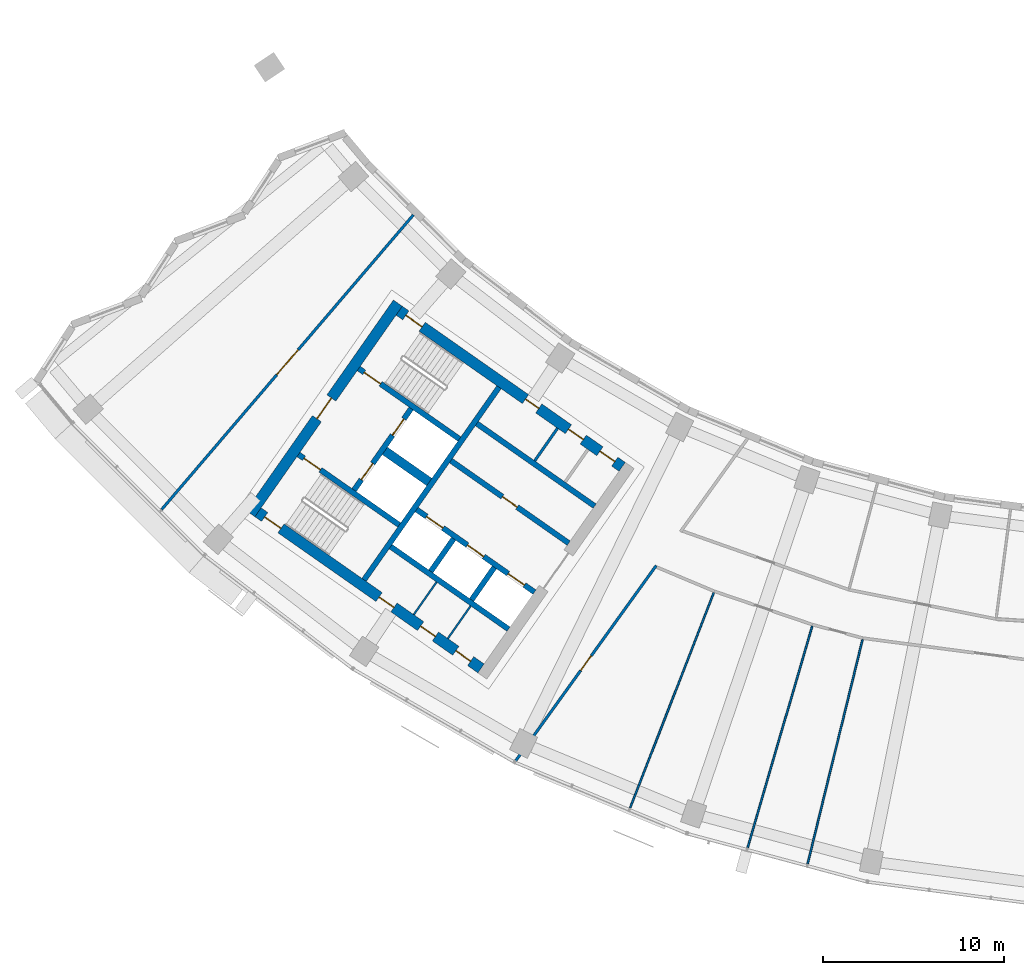
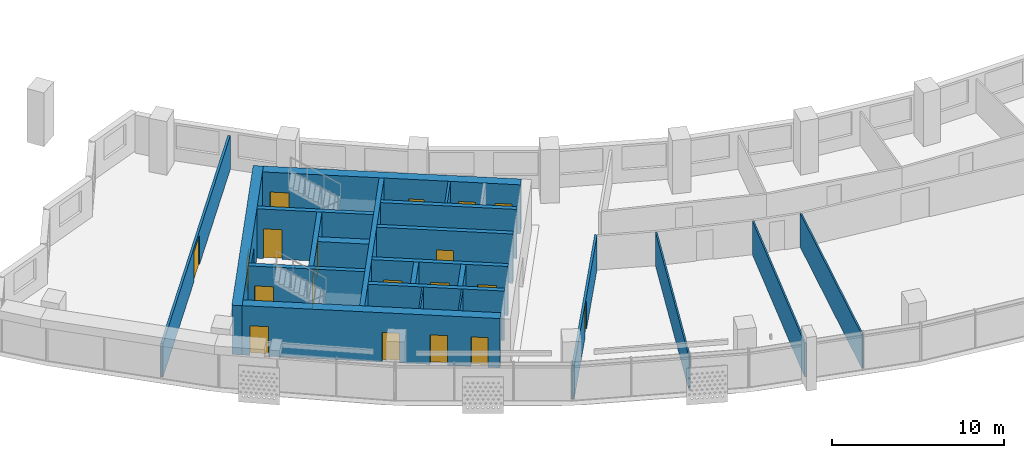
# One storey, part 3 of 26: 22 walls, 19 doors, 19 openings.
"""IFC4 building model written with IfcOpenShell, lengths in metres."""

from ifc_helpers import new_model, si_unit, direction, frame, frame_2d, origin, place, context, subcontext, project, spatial, rectangle, extrude, material, layer, layer_set, type_object, element, fill, save


model = new_model("IFC4")

# Units and contexts
model_context = context("Model", 3, precision=1e-05, world=origin(), true_north=direction((0.0, 1.0)))
body_context = subcontext(model_context, "Body", "Model", "MODEL_VIEW")
ifc_project = project(units=[si_unit("LENGTHUNIT", "METRE"), si_unit("AREAUNIT", "SQUARE_METRE"), si_unit("VOLUMEUNIT", "CUBIC_METRE"), si_unit("PLANEANGLEUNIT", "RADIAN"), si_unit("MASSUNIT", "GRAM", prefix="KILO")], contexts=[model_context])

# Site, building, storey
site_placement = place(None, origin())
site = spatial("IfcSite", under=ifc_project, at=site_placement, CompositionType="ELEMENT")
building_placement = place(site_placement, origin())
building = spatial("IfcBuilding", under=site, at=building_placement, Name="Qamariyya Broadcast Tower", CompositionType="ELEMENT")
storey_placement = place(building_placement, frame((0.0, 0.0, 183.5)))
storey = spatial("IfcBuildingStorey", under=building, at=storey_placement, Name="L43", CompositionType="ELEMENT", Elevation=183.5)

# Wall, opening, door
ifc_material_1 = material(Name="Concrete C60/75", Category="concrete")
ifc_layer_1 = layer(ifc_material_1, 0.60009765625)
ifc_layer_set_1 = layer_set([ifc_layer_1], Name="Core wall 600 mm Concrete C60/75")
wall_type_1 = type_object("IfcWallType", Name="Core wall 600 mm Concrete C60/75", PredefinedType="SHEAR", material=ifc_layer_set_1)
wall_1_placement = place(storey_placement, frame((-49.4833984375, -57.031494140625, 0.0), z_axis=(0.0, 0.0, 1.0), x_axis=(0.573560421458, 0.819163257805, 0.0)))
wall_1 = element("IfcWall", 1, at=wall_1_placement, inside=storey, type_object=wall_type_1, Name="k-W-L43-WH", PredefinedType="SHEAR", context=body_context, shape_type="SweptSolid", body=[
    extrude(rectangle(XDim=14.199951171875, YDim=0.60009765625, at=frame_2d((7.10009765625, 0.0))), origin(), (0.0, 0.0, 1.0), 3.5),
])
opening_1_placement = place(wall_1_placement, frame((6.39990234375, 0.0, 0.0)))
opening_1 = element("IfcOpeningElement", 2, at=opening_1_placement, cuts=wall_1, Name="Opening KD2-W1", PredefinedType="OPENING", context=body_context, shape_type="SweptSolid", body=[
    extrude(rectangle(XDim=1.39990234375, YDim=2.10009765625, at=frame_2d((0.699951171875, 1.050048828125))), frame((0.0, 0.31005859375, 0.0), z_axis=(0.0, -1.0, 0.0), x_axis=(1.0, 0.0, 0.0)), (0.0, 0.0, 1.0), 0.6201171875),
])
ifc_material_2 = material(Name="Steel fire-resisting door leaf", Category="steel")
door_type_1 = type_object("IfcDoorType", Name="Fire-fighting lobby door KD2", OperationType="DOUBLE_DOOR_SINGLE_SWING", PredefinedType="DOOR", material=ifc_material_2)
door_1_placement = place(opening_1_placement, origin())
door_1 = element("IfcDoor", 3, at=door_1_placement, inside=storey, type_object=door_type_1, Name="k-W-L43-WH-D14", OperationType="DOUBLE_DOOR_SINGLE_SWING", OverallHeight=2.10009765625, OverallWidth=1.39990234375, PredefinedType="DOOR", context=body_context, shape_type="SweptSolid", body=[
    extrude(rectangle(XDim=1.39990234375, YDim=2.10009765625, at=frame_2d((0.699951171875, 1.050048828125))), frame((0.0, 0.02490234375, 0.0), z_axis=(0.0, -1.0, 0.0), x_axis=(1.0, 0.0, 0.0)), (0.0, 0.0, 1.0), 0.050048828125),
])
fill(opening_1, door_1)

# Wall, openings, doors
wall_2_placement = place(storey_placement, frame((-28.940673828125, -54.447021484375, 0.0), z_axis=(0.0, 0.0, 1.0), x_axis=(-0.819153391756, 0.573574511963, 0.0)))
wall_2 = element("IfcWall", 4, at=wall_2_placement, inside=storey, type_object=wall_type_1, Name="k-W-L43-WI", PredefinedType="SHEAR", context=body_context, shape_type="SweptSolid", body=[
    extrude(rectangle(XDim=15.04541015625, YDim=0.60009765625, at=frame_2d((7.522705078125, 0.0))), origin(), (0.0, 0.0, 1.0), 3.5),
])
opening_2_placement = place(wall_2_placement, frame((0.5, 0.0, 0.0)))
opening_2 = element("IfcOpeningElement", 5, at=opening_2_placement, cuts=wall_2, Name="Opening KD6-W2", PredefinedType="OPENING", context=body_context, shape_type="SweptSolid", body=[
    extrude(rectangle(XDim=1.0, YDim=2.10009765625, at=frame_2d((0.5, 1.050048828125))), frame((0.0, 0.31005859375, 0.0), z_axis=(0.0, -1.0, 0.0), x_axis=(1.0, 0.0, 0.0)), (0.0, 0.0, 1.0), 0.6201171875),
])
opening_3_placement = place(wall_2_placement, frame((2.625, 0.0, 0.0)))
opening_3 = element("IfcOpeningElement", 6, at=opening_3_placement, cuts=wall_2, Name="Opening KD7-W1", PredefinedType="OPENING", context=body_context, shape_type="SweptSolid", body=[
    extrude(rectangle(XDim=1.0, YDim=2.10009765625, at=frame_2d((0.5, 1.050048828125))), frame((0.0, 0.31005859375, 0.0), z_axis=(0.0, -1.0, 0.0), x_axis=(1.0, 0.0, 0.0)), (0.0, 0.0, 1.0), 0.6201171875),
])
opening_4_placement = place(wall_2_placement, frame((5.625, 0.0, 0.0)))
opening_4 = element("IfcOpeningElement", 7, at=opening_4_placement, cuts=wall_2, Name="Opening KD5-W1", PredefinedType="OPENING", context=body_context, shape_type="SweptSolid", body=[
    extrude(rectangle(XDim=0.89990234375, YDim=2.10009765625, at=frame_2d((0.449951171875, 1.050048828125))), frame((0.0, 0.31005859375, 0.0), z_axis=(0.0, -1.0, 0.0), x_axis=(1.0, 0.0, 0.0)), (0.0, 0.0, 1.0), 0.6201171875),
])
opening_5_placement = place(wall_2_placement, frame((13.495361328125, 0.0, 0.0)))
opening_5 = element("IfcOpeningElement", 8, at=opening_5_placement, cuts=wall_2, Name="Opening KD1-W1", PredefinedType="OPENING", context=body_context, shape_type="SweptSolid", body=[
    extrude(rectangle(XDim=1.10009765625, YDim=2.10009765625, at=frame_2d((0.550048828125, 1.050048828125))), frame((0.0, 0.31005859375, 0.0), z_axis=(0.0, -1.0, 0.0), x_axis=(1.0, 0.0, 0.0)), (0.0, 0.0, 1.0), 0.6201171875),
])
door_type_2 = type_object("IfcDoorType", Name="Accessible toilet door KD7", OperationType="SINGLE_SWING_LEFT", PredefinedType="DOOR", material=ifc_material_2)
door_2_placement = place(opening_3_placement, origin())
door_2 = element("IfcDoor", 9, at=door_2_placement, inside=storey, type_object=door_type_2, Name="k-W-L43-WI-D7", OperationType="SINGLE_SWING_RIGHT", OverallHeight=2.10009765625, OverallWidth=1.0, PredefinedType="DOOR", context=body_context, shape_type="SweptSolid", body=[
    extrude(rectangle(XDim=1.0, YDim=2.10009765625, at=frame_2d((0.5, 1.050048828125))), frame((0.0, 0.02490234375, 0.0), z_axis=(0.0, -1.0, 0.0), x_axis=(1.0, 0.0, 0.0)), (0.0, 0.0, 1.0), 0.050048828125),
])
fill(opening_3, door_2)
door_type_3 = type_object("IfcDoorType", Name="Core room door KD6", OperationType="SINGLE_SWING_LEFT", PredefinedType="DOOR", material=ifc_material_2)
door_3_placement = place(opening_2_placement, origin())
door_3 = element("IfcDoor", 10, at=door_3_placement, inside=storey, type_object=door_type_3, Name="k-W-L43-WI-D6", OperationType="SINGLE_SWING_LEFT", OverallHeight=2.10009765625, OverallWidth=1.0, PredefinedType="DOOR", context=body_context, shape_type="SweptSolid", body=[
    extrude(rectangle(XDim=1.0, YDim=2.10009765625, at=frame_2d((0.5, 1.050048828125))), frame((0.0, 0.02490234375, 0.0), z_axis=(0.0, -1.0, 0.0), x_axis=(1.0, 0.0, 0.0)), (0.0, 0.0, 1.0), 0.050048828125),
])
fill(opening_2, door_3)
door_type_4 = type_object("IfcDoorType", Name="Stair door KD1", OperationType="SINGLE_SWING_LEFT", PredefinedType="DOOR", material=ifc_material_2)
door_4_placement = place(opening_5_placement, origin())
door_4 = element("IfcDoor", 11, at=door_4_placement, inside=storey, type_object=door_type_4, Name="k-W-L43-WI-D15", OperationType="SINGLE_SWING_RIGHT", OverallHeight=2.10009765625, OverallWidth=1.10009765625, PredefinedType="DOOR", context=body_context, shape_type="SweptSolid", body=[
    extrude(rectangle(XDim=1.10009765625, YDim=2.10009765625, at=frame_2d((0.550048828125, 1.050048828125))), frame((0.0, 0.02490234375, 0.0), z_axis=(0.0, -1.0, 0.0), x_axis=(1.0, 0.0, 0.0)), (0.0, 0.0, 1.0), 0.050048828125),
])
fill(opening_5, door_4)
door_type_5 = type_object("IfcDoorType", Name="Toilet door KD5", OperationType="SINGLE_SWING_LEFT", PredefinedType="DOOR", material=ifc_material_2)
door_5_placement = place(opening_4_placement, origin())
door_5 = element("IfcDoor", 12, at=door_5_placement, inside=storey, type_object=door_type_5, Name="k-W-L43-WI-D8", OperationType="SINGLE_SWING_LEFT", OverallHeight=2.10009765625, OverallWidth=0.89990234375, PredefinedType="DOOR", context=body_context, shape_type="SweptSolid", body=[
    extrude(rectangle(XDim=0.89990234375, YDim=2.10009765625, at=frame_2d((0.449951171875, 1.050048828125))), frame((0.0, 0.02490234375, 0.0), z_axis=(0.0, -1.0, 0.0), x_axis=(1.0, 0.0, 0.0)), (0.0, 0.0, 1.0), 0.050048828125),
])
fill(opening_4, door_5)

wall_3_placement = place(storey_placement, frame((-36.7412109375, -65.58740234375, 0.0), z_axis=(0.0, 0.0, 1.0), x_axis=(-0.819153391756, 0.573574511963, 0.0)))
wall_3 = element("IfcWall", 13, at=wall_3_placement, inside=storey, type_object=wall_type_1, Name="k-W-L43-WO", PredefinedType="SHEAR", context=body_context, shape_type="SweptSolid", body=[
    extrude(rectangle(XDim=15.04541015625, YDim=0.60009765625, at=frame_2d((7.522705078125, 0.0))), origin(), (0.0, 0.0, 1.0), 3.5),
])
opening_6_placement = place(wall_3_placement, frame((0.699951171875, 0.0, 0.0)))
opening_6 = element("IfcOpeningElement", 14, at=opening_6_placement, cuts=wall_3, Name="Opening KD6-W3", PredefinedType="OPENING", context=body_context, shape_type="SweptSolid", body=[
    extrude(rectangle(XDim=1.0, YDim=2.10009765625, at=frame_2d((0.5, 1.050048828125))), frame((0.0, 0.31005859375, 0.0), z_axis=(0.0, -1.0, 0.0), x_axis=(1.0, 0.0, 0.0)), (0.0, 0.0, 1.0), 0.6201171875),
])
opening_7_placement = place(wall_3_placement, frame((3.074951171875, 0.0, 0.0)))
opening_7 = element("IfcOpeningElement", 15, at=opening_7_placement, cuts=wall_3, Name="Opening KD4-W1", PredefinedType="OPENING", context=body_context, shape_type="SweptSolid", body=[
    extrude(rectangle(XDim=1.0, YDim=2.10009765625, at=frame_2d((0.5, 1.050048828125))), frame((0.0, 0.31005859375, 0.0), z_axis=(0.0, -1.0, 0.0), x_axis=(1.0, 0.0, 0.0)), (0.0, 0.0, 1.0), 0.6201171875),
])
opening_8_placement = place(wall_3_placement, frame((5.875, 0.0, 0.0)))
opening_8 = element("IfcOpeningElement", 16, at=opening_8_placement, cuts=wall_3, Name="Opening KD4-W2", PredefinedType="OPENING", context=body_context, shape_type="SweptSolid", body=[
    extrude(rectangle(XDim=1.0, YDim=2.10009765625, at=frame_2d((0.5, 1.050048828125))), frame((0.0, 0.31005859375, 0.0), z_axis=(0.0, -1.0, 0.0), x_axis=(1.0, 0.0, 0.0)), (0.0, 0.0, 1.0), 0.6201171875),
])
opening_9_placement = place(wall_3_placement, frame((13.495361328125, 0.0, 0.0)))
opening_9 = element("IfcOpeningElement", 17, at=opening_9_placement, cuts=wall_3, Name="Opening KD1-W3", PredefinedType="OPENING", context=body_context, shape_type="SweptSolid", body=[
    extrude(rectangle(XDim=1.10009765625, YDim=2.10009765625, at=frame_2d((0.550048828125, 1.050048828125))), frame((0.0, 0.31005859375, 0.0), z_axis=(0.0, -1.0, 0.0), x_axis=(1.0, 0.0, 0.0)), (0.0, 0.0, 1.0), 0.6201171875),
])
door_6_placement = place(opening_6_placement, origin())
door_6 = element("IfcDoor", 18, at=door_6_placement, inside=storey, type_object=door_type_3, Name="k-W-L43-WO-D9", OperationType="SINGLE_SWING_RIGHT", OverallHeight=2.10009765625, OverallWidth=1.0, PredefinedType="DOOR", context=body_context, shape_type="SweptSolid", body=[
    extrude(rectangle(XDim=1.0, YDim=2.10009765625, at=frame_2d((0.5, 1.050048828125))), frame((0.0, 0.02490234375, 0.0), z_axis=(0.0, -1.0, 0.0), x_axis=(1.0, 0.0, 0.0)), (0.0, 0.0, 1.0), 0.050048828125),
])
fill(opening_6, door_6)
door_type_6 = type_object("IfcDoorType", Name="Riser and plant door KD4", OperationType="SINGLE_SWING_LEFT", PredefinedType="DOOR", material=ifc_material_2)
door_7_placement = place(opening_7_placement, origin())
door_7 = element("IfcDoor", 19, at=door_7_placement, inside=storey, type_object=door_type_6, Name="k-W-L43-WO-D10", OperationType="SINGLE_SWING_LEFT", OverallHeight=2.10009765625, OverallWidth=1.0, PredefinedType="DOOR", context=body_context, shape_type="SweptSolid", body=[
    extrude(rectangle(XDim=1.0, YDim=2.10009765625, at=frame_2d((0.5, 1.050048828125))), frame((0.0, 0.02490234375, 0.0), z_axis=(0.0, -1.0, 0.0), x_axis=(1.0, 0.0, 0.0)), (0.0, 0.0, 1.0), 0.050048828125),
])
fill(opening_7, door_7)
door_8_placement = place(opening_8_placement, origin())
door_8 = element("IfcDoor", 20, at=door_8_placement, inside=storey, type_object=door_type_6, Name="k-W-L43-WO-D11", OperationType="SINGLE_SWING_RIGHT", OverallHeight=2.10009765625, OverallWidth=1.0, PredefinedType="DOOR", context=body_context, shape_type="SweptSolid", body=[
    extrude(rectangle(XDim=1.0, YDim=2.10009765625, at=frame_2d((0.5, 1.050048828125))), frame((0.0, 0.02490234375, 0.0), z_axis=(0.0, -1.0, 0.0), x_axis=(1.0, 0.0, 0.0)), (0.0, 0.0, 1.0), 0.050048828125),
])
fill(opening_8, door_8)
door_9_placement = place(opening_9_placement, origin())
door_9 = element("IfcDoor", 21, at=door_9_placement, inside=storey, type_object=door_type_4, Name="k-W-L43-WO-D17", OperationType="SINGLE_SWING_LEFT", OverallHeight=2.10009765625, OverallWidth=1.10009765625, PredefinedType="DOOR", context=body_context, shape_type="SweptSolid", body=[
    extrude(rectangle(XDim=1.10009765625, YDim=2.10009765625, at=frame_2d((0.550048828125, 1.050048828125))), frame((0.0, 0.02490234375, 0.0), z_axis=(0.0, -1.0, 0.0), x_axis=(1.0, 0.0, 0.0)), (0.0, 0.0, 1.0), 0.050048828125),
])
fill(opening_9, door_9)

# Wall, opening, door
ifc_material_3 = material(Name="Gypsum board partition")
ifc_layer_2 = layer(ifc_material_3, 0.14990234375)
ifc_layer_set_2 = layer_set([ifc_layer_2], Name="Corridor partition 150 EI 60")
wall_type_2 = type_object("IfcWallType", Name="Corridor partition 150 EI 60", PredefinedType="PARTITIONING", material=ifc_layer_set_2)
wall_4_placement = place(storey_placement, frame((-54.39404296875, -56.8076171875, 0.0), z_axis=(0.0, 0.0, 1.0), x_axis=(0.649633284071, 0.760247720303, 0.0)))
wall_4 = element("IfcWall", 22, at=wall_4_placement, inside=storey, type_object=wall_type_2, Name="Partition L43-001", PredefinedType="PARTITIONING", context=body_context, shape_type="SweptSolid", body=[
    extrude(rectangle(XDim=21.420166015625, YDim=0.14990234375, at=frame_2d((10.7099609375, 0.0))), origin(), (0.0, 0.0, 1.0), 2.39990234375),
])
opening_10_placement = place(wall_4_placement, frame((9.81005859375, 0.0, 0.0)))
opening_10 = element("IfcOpeningElement", 23, at=opening_10_placement, cuts=wall_4, Name="Opening L43-D16", PredefinedType="OPENING", context=body_context, shape_type="SweptSolid", body=[
    extrude(rectangle(XDim=1.800048828125, YDim=2.10009765625, at=frame_2d((0.89990234375, 1.050048828125))), frame((0.0, 0.0849609375, 0.0), z_axis=(0.0, -1.0, 0.0), x_axis=(1.0, 0.0, 0.0)), (0.0, 0.0, 1.0), 0.169921875),
])
ifc_material_4 = material(Name="Timber fire door leaf", Category="wood")
door_type_7 = type_object("IfcDoorType", Name="Double fire door 1800 x 2100 FD60", OperationType="NOTDEFINED", PredefinedType="DOOR", material=ifc_material_4)
door_10_placement = place(opening_10_placement, origin())
door_10 = element("IfcDoor", 24, at=door_10_placement, inside=storey, type_object=door_type_7, Name="Door L43-D16", OperationType="DOUBLE_DOOR_SINGLE_SWING", OverallHeight=2.10009765625, OverallWidth=1.800048828125, PredefinedType="DOOR", context=body_context, shape_type="SweptSolid", body=[
    extrude(rectangle(XDim=1.800048828125, YDim=2.10009765625, at=frame_2d((0.89990234375, 1.050048828125))), frame((0.0, 0.02490234375, 0.0), z_axis=(0.0, -1.0, 0.0), x_axis=(1.0, 0.0, 0.0)), (0.0, 0.0, 1.0), 0.050048828125),
])
fill(opening_10, door_10)

wall_5_placement = place(storey_placement, frame((-27.056884765625, -59.899169921875, 0.0), z_axis=(0.0, 0.0, 1.0), x_axis=(-0.584166374063, -0.81163393683, 0.0)))
wall_5 = element("IfcWall", 25, at=wall_5_placement, inside=storey, type_object=wall_type_2, Name="Partition L43-003", PredefinedType="PARTITIONING", context=body_context, shape_type="SweptSolid", body=[
    extrude(rectangle(XDim=13.296142578125, YDim=0.14990234375, at=frame_2d((6.64794921875, 0.0))), origin(), (0.0, 0.0, 1.0), 2.39990234375),
])
opening_11_placement = place(wall_5_placement, frame((6.14794921875, 0.0, 0.0)))
opening_11 = element("IfcOpeningElement", 26, at=opening_11_placement, cuts=wall_5, Name="Opening L43-D01", PredefinedType="OPENING", context=body_context, shape_type="SweptSolid", body=[
    extrude(rectangle(XDim=1.0, YDim=2.10009765625, at=frame_2d((0.5, 1.050048828125))), frame((0.0, 0.0849609375, 0.0), z_axis=(0.0, -1.0, 0.0), x_axis=(1.0, 0.0, 0.0)), (0.0, 0.0, 1.0), 0.169921875),
])
door_type_8 = type_object("IfcDoorType", Name="Fire door 1000 x 2100 FD60", OperationType="NOTDEFINED", PredefinedType="DOOR", material=ifc_material_4)
door_11_placement = place(opening_11_placement, origin())
door_11 = element("IfcDoor", 27, at=door_11_placement, inside=storey, type_object=door_type_8, Name="Door L43-D01", OperationType="SINGLE_SWING_RIGHT", OverallHeight=2.10009765625, OverallWidth=1.0, PredefinedType="DOOR", context=body_context, shape_type="SweptSolid", body=[
    extrude(rectangle(XDim=1.0, YDim=2.10009765625, at=frame_2d((0.5, 1.050048828125))), frame((0.0, 0.02490234375, 0.0), z_axis=(0.0, -1.0, 0.0), x_axis=(1.0, 0.0, 0.0)), (0.0, 0.0, 1.0), 0.050048828125),
])
fill(opening_11, door_11)

# Walls
ifc_layer_3 = layer(ifc_material_1, 0.5)
ifc_layer_set_3 = layer_set([ifc_layer_3], Name="Fire-fighting lobby divider wall 500 mm Concrete C60/75")
wall_type_3 = type_object("IfcWallType", Name="Fire-fighting lobby divider wall 500 mm Concrete C60/75", PredefinedType="SOLIDWALL", material=ifc_layer_set_3)
wall_6_placement = place(storey_placement, frame((-39.59912109375, -55.28515625, 0.0), z_axis=(0.0, 0.0, 1.0), x_axis=(-0.819136323161, 0.573598887793, 0.0)))
element("IfcWall", 28, at=wall_6_placement, inside=storey, type_object=wall_type_3, Name="k-W-L43-FD", PredefinedType="SOLIDWALL", context=body_context, shape_type="SweptSolid", body=[
    extrude(rectangle(XDim=2.999755859375, YDim=0.5, at=frame_2d((1.5, 0.0))), origin(), (0.0, 0.0, 1.0), 3.5),
])
ifc_material_5 = material(Name="Gypsum board partition on steel studs", Category="steel")
ifc_layer_4 = layer(ifc_material_5, 0.14990234375)
ifc_layer_set_4 = layer_set([ifc_layer_4], Name="Gypsum board partition 150 mm")
wall_type_4 = type_object("IfcWallType", Name="Gypsum board partition 150 mm", PredefinedType="PARTITIONING", material=ifc_layer_set_4)
wall_7_placement = place(storey_placement, frame((-33.774169921875, -54.114501953125, 0.0), z_axis=(0.0, 0.0, 1.0), x_axis=(0.573581496053, 0.819148501424, 0.0)))
element("IfcWall", 29, at=wall_7_placement, inside=storey, type_object=wall_type_4, Name="k-W-L43-NP415", PredefinedType="PARTITIONING", context=body_context, shape_type="SweptSolid", body=[
    extrude(rectangle(XDim=2.2001953125, YDim=0.14990234375, at=frame_2d((1.10009765625, 0.0))), origin(), (0.0, 0.0, 1.0), 3.5),
])
ifc_layer_5 = layer(ifc_material_1, 0.300048828125)
ifc_layer_set_5 = layer_set([ifc_layer_5], Name="Lift shaft wall 300 mm Concrete C60/75")
wall_type_5 = type_object("IfcWallType", Name="Lift shaft wall 300 mm Concrete C60/75", PredefinedType="SOLIDWALL", material=ifc_layer_set_5)
wall_8_placement = place(storey_placement, frame((-43.204345703125, -60.69580078125, 0.0), z_axis=(0.0, 0.0, 1.0), x_axis=(0.573571992966, 0.819155155563, 0.0)))
element("IfcWall", 30, at=wall_8_placement, inside=storey, type_object=wall_type_5, Name="k-W-L43-WL", PredefinedType="SOLIDWALL", context=body_context, shape_type="SweptSolid", body=[
    extrude(rectangle(XDim=13.000244140625, YDim=0.300048828125, at=frame_2d((6.5, 0.0))), origin(), (0.0, 0.0, 1.0), 3.5),
])

# Wall, opening, door
wall_9_placement = place(storey_placement, frame((-31.89453125, -58.66552734375, 0.0), z_axis=(0.0, 0.0, 1.0), x_axis=(-0.819166993208, 0.573555086491, 0.0)))
wall_9 = element("IfcWall", 31, at=wall_9_placement, inside=storey, type_object=wall_type_5, Name="k-W-L43-NF0", PredefinedType="SOLIDWALL", context=body_context, shape_type="SweptSolid", body=[
    extrude(rectangle(XDim=7.9501953125, YDim=0.300048828125, at=frame_2d((3.97509765625, 0.0))), origin(), (0.0, 0.0, 1.0), 3.5),
])
opening_12_placement = place(wall_9_placement, frame((3.47509765625, 0.0, 0.0)))
opening_12 = element("IfcOpeningElement", 32, at=opening_12_placement, cuts=wall_9, Name="Opening KD6-W1", PredefinedType="OPENING", context=body_context, shape_type="SweptSolid", body=[
    extrude(rectangle(XDim=1.0, YDim=2.10009765625, at=frame_2d((0.5, 1.050048828125))), frame((0.0, 0.159912109375, 0.0), z_axis=(0.0, -1.0, 0.0), x_axis=(1.0, 0.0, 0.0)), (0.0, 0.0, 1.0), 0.320068359375),
])
door_12_placement = place(opening_12_placement, origin())
door_12 = element("IfcDoor", 33, at=door_12_placement, inside=storey, type_object=door_type_3, Name="k-W-L43-NF0-D2", OperationType="SINGLE_SWING_LEFT", OverallHeight=2.10009765625, OverallWidth=1.0, PredefinedType="DOOR", context=body_context, shape_type="SweptSolid", body=[
    extrude(rectangle(XDim=1.0, YDim=2.10009765625, at=frame_2d((0.5, 1.050048828125))), frame((0.0, 0.02490234375, 0.0), z_axis=(0.0, -1.0, 0.0), x_axis=(1.0, 0.0, 0.0)), (0.0, 0.0, 1.0), 0.050048828125),
])
fill(opening_12, door_12)

# Wall
wall_10_placement = place(storey_placement, frame((-30.460693359375, -56.61767578125, 0.0), z_axis=(0.0, 0.0, 1.0), x_axis=(-0.819142461705, 0.573590121456, 0.0)))
element("IfcWall", 34, at=wall_10_placement, inside=storey, type_object=wall_type_5, Name="k-W-L43-NB0", PredefinedType="SOLIDWALL", context=body_context, shape_type="SweptSolid", body=[
    extrude(rectangle(XDim=7.949951171875, YDim=0.300048828125, at=frame_2d((3.97509765625, 0.0))), origin(), (0.0, 0.0, 1.0), 3.5),
])

# Wall, openings, doors
wall_11_placement = place(storey_placement, frame((-33.787353515625, -61.368896484375, 0.0), z_axis=(0.0, 0.0, 1.0), x_axis=(-0.819152564888, 0.573575692858, 0.0)))
wall_11 = element("IfcWall", 35, at=wall_11_placement, inside=storey, type_object=wall_type_5, Name="k-W-L43-SF0", PredefinedType="SOLIDWALL", context=body_context, shape_type="SweptSolid", body=[
    extrude(rectangle(XDim=7.9501953125, YDim=0.300048828125, at=frame_2d((3.97509765625, 0.0))), origin(), (0.0, 0.0, 1.0), 3.5),
])
opening_13_placement = place(wall_11_placement, frame((0.675048828125, 0.0, 0.0)))
opening_13 = element("IfcOpeningElement", 36, at=opening_13_placement, cuts=wall_11, Name="Opening LD", PredefinedType="OPENING", context=body_context, shape_type="SweptSolid", body=[
    extrude(rectangle(XDim=1.10009765625, YDim=2.10009765625, at=frame_2d((0.550048828125, 1.050048828125))), frame((0.0, 0.159912109375, 0.0), z_axis=(0.0, -1.0, 0.0), x_axis=(1.0, 0.0, 0.0)), (0.0, 0.0, 1.0), 0.320068359375),
])
opening_14_placement = place(wall_11_placement, frame((3.425048828125, 0.0, 0.0)))
opening_14 = element("IfcOpeningElement", 37, at=opening_14_placement, cuts=wall_11, Name="Opening LD", PredefinedType="OPENING", context=body_context, shape_type="SweptSolid", body=[
    extrude(rectangle(XDim=1.10009765625, YDim=2.10009765625, at=frame_2d((0.550048828125, 1.050048828125))), frame((0.0, 0.159912109375, 0.0), z_axis=(0.0, -1.0, 0.0), x_axis=(1.0, 0.0, 0.0)), (0.0, 0.0, 1.0), 0.320068359375),
])
opening_15_placement = place(wall_11_placement, frame((6.175048828125, 0.0, 0.0)))
opening_15 = element("IfcOpeningElement", 38, at=opening_15_placement, cuts=wall_11, Name="Opening LD", PredefinedType="OPENING", context=body_context, shape_type="SweptSolid", body=[
    extrude(rectangle(XDim=1.10009765625, YDim=2.10009765625, at=frame_2d((0.550048828125, 1.050048828125))), frame((0.0, 0.159912109375, 0.0), z_axis=(0.0, -1.0, 0.0), x_axis=(1.0, 0.0, 0.0)), (0.0, 0.0, 1.0), 0.320068359375),
])
door_type_9 = type_object("IfcDoorType", Name="Lift landing door LD", OperationType="DOUBLE_DOOR_SLIDING", PredefinedType="DOOR", material=ifc_material_2)
door_13_placement = place(opening_13_placement, origin())
door_13 = element("IfcDoor", 39, at=door_13_placement, inside=storey, type_object=door_type_9, Name="k-W-L43-SF0-D3", OperationType="DOUBLE_DOOR_SLIDING", OverallHeight=2.10009765625, OverallWidth=1.10009765625, PredefinedType="DOOR", context=body_context, shape_type="SweptSolid", body=[
    extrude(rectangle(XDim=1.10009765625, YDim=2.10009765625, at=frame_2d((0.550048828125, 1.050048828125))), frame((0.0, 0.02490234375, 0.0), z_axis=(0.0, -1.0, 0.0), x_axis=(1.0, 0.0, 0.0)), (0.0, 0.0, 1.0), 0.050048828125),
])
fill(opening_13, door_13)
door_14_placement = place(opening_14_placement, origin())
door_14 = element("IfcDoor", 40, at=door_14_placement, inside=storey, type_object=door_type_9, Name="k-W-L43-SF0-D4", OperationType="DOUBLE_DOOR_SLIDING", OverallHeight=2.10009765625, OverallWidth=1.10009765625, PredefinedType="DOOR", context=body_context, shape_type="SweptSolid", body=[
    extrude(rectangle(XDim=1.10009765625, YDim=2.10009765625, at=frame_2d((0.550048828125, 1.050048828125))), frame((0.0, 0.02490234375, 0.0), z_axis=(0.0, -1.0, 0.0), x_axis=(1.0, 0.0, 0.0)), (0.0, 0.0, 1.0), 0.050048828125),
])
fill(opening_14, door_14)
door_15_placement = place(opening_15_placement, origin())
door_15 = element("IfcDoor", 41, at=door_15_placement, inside=storey, type_object=door_type_9, Name="k-W-L43-SF0-D5", OperationType="DOUBLE_DOOR_SLIDING", OverallHeight=2.10009765625, OverallWidth=1.10009765625, PredefinedType="DOOR", context=body_context, shape_type="SweptSolid", body=[
    extrude(rectangle(XDim=1.10009765625, YDim=2.10009765625, at=frame_2d((0.550048828125, 1.050048828125))), frame((0.0, 0.02490234375, 0.0), z_axis=(0.0, -1.0, 0.0), x_axis=(1.0, 0.0, 0.0)), (0.0, 0.0, 1.0), 0.050048828125),
])
fill(opening_15, door_15)

# Walls
wall_12_placement = place(storey_placement, frame((-35.22119140625, -63.41650390625, 0.0), z_axis=(0.0, 0.0, 1.0), x_axis=(-0.819166993208, 0.573555086491, 0.0)))
element("IfcWall", 42, at=wall_12_placement, inside=storey, type_object=wall_type_5, Name="k-W-L43-SB0", PredefinedType="SOLIDWALL", context=body_context, shape_type="SweptSolid", body=[
    extrude(rectangle(XDim=7.9501953125, YDim=0.300048828125, at=frame_2d((3.97509765625, 0.0))), origin(), (0.0, 0.0, 1.0), 3.5),
])
wall_13_placement = place(storey_placement, frame((-36.003173828125, -60.000244140625, 0.0), z_axis=(0.0, 0.0, 1.0), x_axis=(-0.573581496053, -0.819148501424, 0.0)))
element("IfcWall", 43, at=wall_13_placement, inside=storey, type_object=wall_type_5, Name="k-W-L43-SD0", PredefinedType="SOLIDWALL", context=body_context, shape_type="SweptSolid", body=[
    extrude(rectangle(XDim=2.2001953125, YDim=0.300048828125, at=frame_2d((1.10009765625, 0.0))), origin(), (0.0, 0.0, 1.0), 3.5),
])
wall_14_placement = place(storey_placement, frame((-38.255859375, -58.423095703125, 0.0), z_axis=(0.0, 0.0, 1.0), x_axis=(-0.573633636671, -0.819111989218, 0.0)))
element("IfcWall", 44, at=wall_14_placement, inside=storey, type_object=wall_type_5, Name="k-W-L43-SD1", PredefinedType="SOLIDWALL", context=body_context, shape_type="SweptSolid", body=[
    extrude(rectangle(XDim=2.199951171875, YDim=0.300048828125, at=frame_2d((1.10009765625, 0.0))), origin(), (0.0, 0.0, 1.0), 3.5),
])

# Wall, opening, door
wall_15_placement = place(storey_placement, frame((-37.935546875, -52.90966796875, 0.0), z_axis=(0.0, 0.0, 1.0), x_axis=(-0.819147518138, 0.57358290031, 0.0)))
wall_15 = element("IfcWall", 45, at=wall_15_placement, inside=storey, type_object=wall_type_5, Name="k-W-L43-NW", PredefinedType="SOLIDWALL", context=body_context, shape_type="SweptSolid", body=[
    extrude(rectangle(XDim=6.79541015625, YDim=0.300048828125, at=frame_2d((3.397705078125, 0.0))), origin(), (0.0, 0.0, 1.0), 3.5),
])
opening_16_placement = place(wall_15_placement, frame((5.3203125, 0.0, 0.0)))
opening_16 = element("IfcOpeningElement", 46, at=opening_16_placement, cuts=wall_15, Name="Opening KD1-W2", PredefinedType="OPENING", context=body_context, shape_type="SweptSolid", body=[
    extrude(rectangle(XDim=1.10009765625, YDim=2.10009765625, at=frame_2d((0.550048828125, 1.050048828125))), frame((0.0, 0.159912109375, 0.0), z_axis=(0.0, -1.0, 0.0), x_axis=(1.0, 0.0, 0.0)), (0.0, 0.0, 1.0), 0.320068359375),
])
door_16_placement = place(opening_16_placement, origin())
door_16 = element("IfcDoor", 47, at=door_16_placement, inside=storey, type_object=door_type_4, Name="k-W-L43-NW-D16", OperationType="SINGLE_SWING_LEFT", OverallHeight=2.10009765625, OverallWidth=1.10009765625, PredefinedType="DOOR", context=body_context, shape_type="SweptSolid", body=[
    extrude(rectangle(XDim=1.10009765625, YDim=2.10009765625, at=frame_2d((0.550048828125, 1.050048828125))), frame((0.0, 0.02490234375, 0.0), z_axis=(0.0, -1.0, 0.0), x_axis=(1.0, 0.0, 0.0)), (0.0, 0.0, 1.0), 0.050048828125),
])
fill(opening_16, door_16)

wall_16_placement = place(storey_placement, frame((-41.262451171875, -57.66064453125, 0.0), z_axis=(0.0, 0.0, 1.0), x_axis=(-0.819164398642, 0.573558792102, 0.0)))
wall_16 = element("IfcWall", 48, at=wall_16_placement, inside=storey, type_object=wall_type_5, Name="k-W-L43-SW", PredefinedType="SOLIDWALL", context=body_context, shape_type="SweptSolid", body=[
    extrude(rectangle(XDim=6.795166015625, YDim=0.300048828125, at=frame_2d((3.3974609375, 0.0))), origin(), (0.0, 0.0, 1.0), 3.5),
])
opening_17_placement = place(wall_16_placement, frame((5.3203125, 0.0, 0.0)))
opening_17 = element("IfcOpeningElement", 49, at=opening_17_placement, cuts=wall_16, Name="Opening KD1-W4", PredefinedType="OPENING", context=body_context, shape_type="SweptSolid", body=[
    extrude(rectangle(XDim=1.10009765625, YDim=2.10009765625, at=frame_2d((0.550048828125, 1.050048828125))), frame((0.0, 0.159912109375, 0.0), z_axis=(0.0, -1.0, 0.0), x_axis=(1.0, 0.0, 0.0)), (0.0, 0.0, 1.0), 0.320068359375),
])
door_17_placement = place(opening_17_placement, origin())
door_17 = element("IfcDoor", 50, at=door_17_placement, inside=storey, type_object=door_type_4, Name="k-W-L43-SW-D18", OperationType="SINGLE_SWING_LEFT", OverallHeight=2.10009765625, OverallWidth=1.10009765625, PredefinedType="DOOR", context=body_context, shape_type="SweptSolid", body=[
    extrude(rectangle(XDim=1.10009765625, YDim=2.10009765625, at=frame_2d((0.550048828125, 1.050048828125))), frame((0.0, 0.02490234375, 0.0), z_axis=(0.0, -1.0, 0.0), x_axis=(1.0, 0.0, 0.0)), (0.0, 0.0, 1.0), 0.050048828125),
])
fill(opening_17, door_17)

# Wall, openings, doors
wall_17_placement = place(storey_placement, frame((-43.756591796875, -55.731201171875, 0.0), z_axis=(0.0, 0.0, 1.0), x_axis=(0.573536818435, 0.819179783625, 0.0)))
wall_17 = element("IfcWall", 51, at=wall_17_placement, inside=storey, type_object=wall_type_5, Name="k-W-L43-FF", PredefinedType="SOLIDWALL", context=body_context, shape_type="SweptSolid", body=[
    extrude(rectangle(XDim=5.500244140625, YDim=0.300048828125, at=frame_2d((2.75, 0.0))), origin(), (0.0, 0.0, 1.0), 3.5),
])
opening_18_placement = place(wall_17_placement, frame((0.699951171875, 0.0, 0.0)))
opening_18 = element("IfcOpeningElement", 52, at=opening_18_placement, cuts=wall_17, Name="Opening LD", PredefinedType="OPENING", context=body_context, shape_type="SweptSolid", body=[
    extrude(rectangle(XDim=1.10009765625, YDim=2.10009765625, at=frame_2d((0.550048828125, 1.050048828125))), frame((0.0, 0.159912109375, 0.0), z_axis=(0.0, -1.0, 0.0), x_axis=(1.0, 0.0, 0.0)), (0.0, 0.0, 1.0), 0.320068359375),
])
opening_19_placement = place(wall_17_placement, frame((3.699951171875, 0.0, 0.0)))
opening_19 = element("IfcOpeningElement", 53, at=opening_19_placement, cuts=wall_17, Name="Opening LD", PredefinedType="OPENING", context=body_context, shape_type="SweptSolid", body=[
    extrude(rectangle(XDim=1.10009765625, YDim=2.10009765625, at=frame_2d((0.550048828125, 1.050048828125))), frame((0.0, 0.159912109375, 0.0), z_axis=(0.0, -1.0, 0.0), x_axis=(1.0, 0.0, 0.0)), (0.0, 0.0, 1.0), 0.320068359375),
])
door_18_placement = place(opening_18_placement, origin())
door_18 = element("IfcDoor", 54, at=door_18_placement, inside=storey, type_object=door_type_9, Name="k-W-L43-FF-D12", OperationType="DOUBLE_DOOR_SLIDING", OverallHeight=2.10009765625, OverallWidth=1.10009765625, PredefinedType="DOOR", context=body_context, shape_type="SweptSolid", body=[
    extrude(rectangle(XDim=1.10009765625, YDim=2.10009765625, at=frame_2d((0.550048828125, 1.050048828125))), frame((0.0, 0.02490234375, 0.0), z_axis=(0.0, -1.0, 0.0), x_axis=(1.0, 0.0, 0.0)), (0.0, 0.0, 1.0), 0.050048828125),
])
fill(opening_18, door_18)
door_19_placement = place(opening_19_placement, origin())
door_19 = element("IfcDoor", 55, at=door_19_placement, inside=storey, type_object=door_type_9, Name="k-W-L43-FF-D13", OperationType="DOUBLE_DOOR_SLIDING", OverallHeight=2.10009765625, OverallWidth=1.10009765625, PredefinedType="DOOR", context=body_context, shape_type="SweptSolid", body=[
    extrude(rectangle(XDim=1.10009765625, YDim=2.10009765625, at=frame_2d((0.550048828125, 1.050048828125))), frame((0.0, 0.02490234375, 0.0), z_axis=(0.0, -1.0, 0.0), x_axis=(1.0, 0.0, 0.0)), (0.0, 0.0, 1.0), 0.050048828125),
])
fill(opening_19, door_19)

# Walls
ifc_layer_6 = layer(ifc_material_3, 0.10009765625)
ifc_layer_set_6 = layer_set([ifc_layer_6], Name="Partition 100")
wall_type_6 = type_object("IfcWallType", Name="Partition 100", PredefinedType="PARTITIONING", material=ifc_layer_set_6)
wall_18_placement = place(storey_placement, frame((-28.503662109375, -73.302978515625, 0.0), z_axis=(0.0, 0.0, 1.0), x_axis=(0.362407525881, 0.932019734332, 0.0)))
element("IfcWall", 56, at=wall_18_placement, inside=storey, type_object=wall_type_6, Name="Partition L43-002", PredefinedType="PARTITIONING", context=body_context, shape_type="SweptSolid", body=[
    extrude(rectangle(XDim=12.774658203125, YDim=0.10009765625, at=frame_2d((6.38720703125, 0.0))), origin(), (0.0, 0.0, 1.0), 2.39990234375),
])
wall_19_placement = place(storey_placement, frame((-22.010498046875, -75.507080078125, 0.0), z_axis=(0.0, 0.0, 1.0), x_axis=(0.279843682865, 0.960045578689, 0.0)))
element("IfcWall", 57, at=wall_19_placement, inside=storey, type_object=wall_type_6, Name="Partition L43-007", PredefinedType="PARTITIONING", context=body_context, shape_type="SweptSolid", body=[
    extrude(rectangle(XDim=12.77490234375, YDim=0.10009765625, at=frame_2d((6.387451171875, 0.0))), origin(), (0.0, 0.0, 1.0), 2.39990234375),
])
wall_20_placement = place(storey_placement, frame((-18.69189453125, -76.396240234375, 0.0), z_axis=(0.0, 0.0, 1.0), x_axis=(0.237667084027, 0.971346671982, 0.0)))
element("IfcWall", 58, at=wall_20_placement, inside=storey, type_object=wall_type_6, Name="Partition L43-009", PredefinedType="PARTITIONING", context=body_context, shape_type="SweptSolid", body=[
    extrude(rectangle(XDim=12.774658203125, YDim=0.10009765625, at=frame_2d((6.38720703125, 0.0))), origin(), (0.0, 0.0, 1.0), 2.39990234375),
])
ifc_material_6 = material(Name="Fire-rated gypsum shaft liner on steel studs", Category="steel")
ifc_layer_7 = layer(ifc_material_6, 0.10009765625)
ifc_layer_set_7 = layer_set([ifc_layer_7], Name="Riser wall 100 mm")
wall_type_7 = type_object("IfcWallType", Name="Riser wall 100 mm", PredefinedType="PLUMBINGWALL", material=ifc_layer_set_7)
wall_21_placement = place(storey_placement, frame((-37.314208984375, -62.13427734375, 0.0), z_axis=(0.0, 0.0, 1.0), x_axis=(-0.573633636671, -0.819111989218, 0.0)))
element("IfcWall", 59, at=wall_21_placement, inside=storey, type_object=wall_type_7, Name="k-W-L43-SP245", PredefinedType="PLUMBINGWALL", context=body_context, shape_type="SweptSolid", body=[
    extrude(rectangle(XDim=2.199951171875, YDim=0.10009765625, at=frame_2d((1.10009765625, 0.0))), origin(), (0.0, 0.0, 1.0), 3.5),
])
wall_22_placement = place(storey_placement, frame((-39.1982421875, -60.81494140625, 0.0), z_axis=(0.0, 0.0, 1.0), x_axis=(-0.573581496053, -0.819148501424, 0.0)))
element("IfcWall", 60, at=wall_22_placement, inside=storey, type_object=wall_type_7, Name="k-W-L43-SP475", PredefinedType="PLUMBINGWALL", context=body_context, shape_type="SweptSolid", body=[
    extrude(rectangle(XDim=2.2001953125, YDim=0.10009765625, at=frame_2d((1.10009765625, 0.0))), origin(), (0.0, 0.0, 1.0), 3.5),
])

save(model, "model.ifc")
